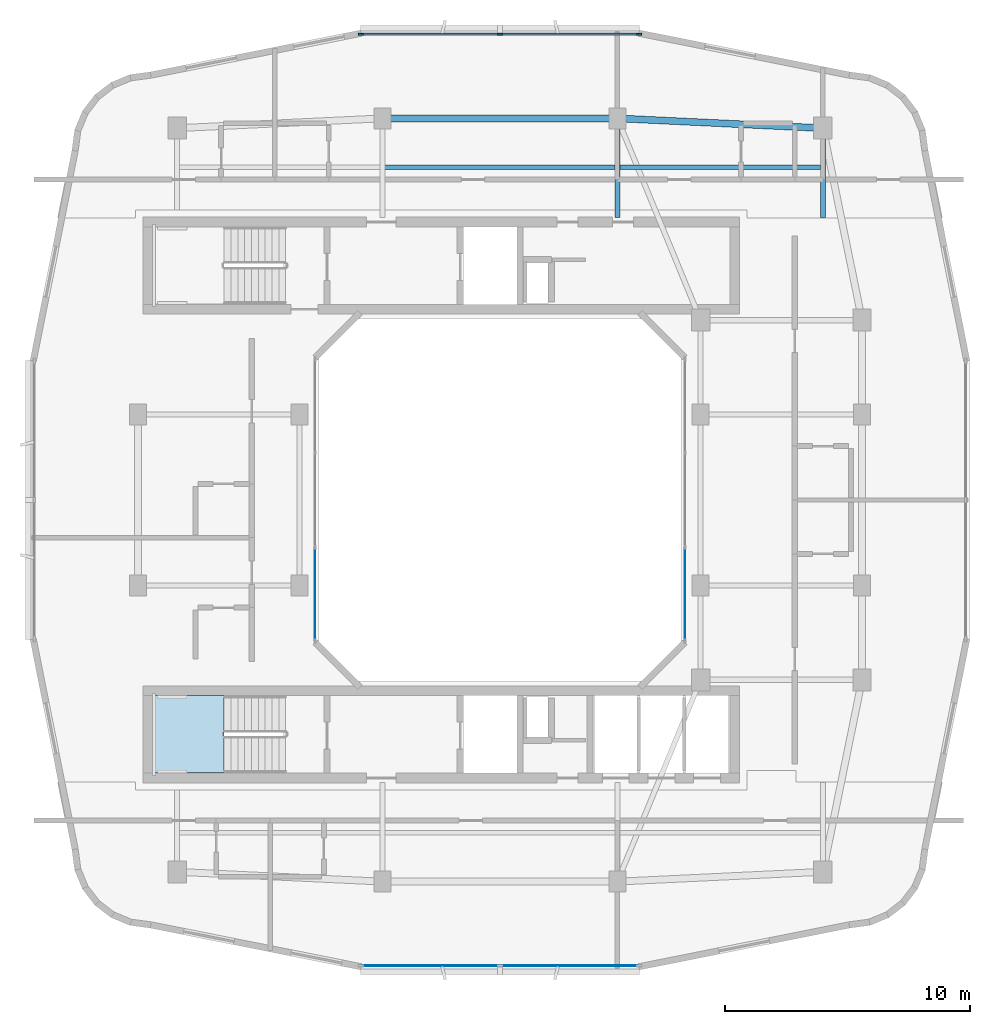
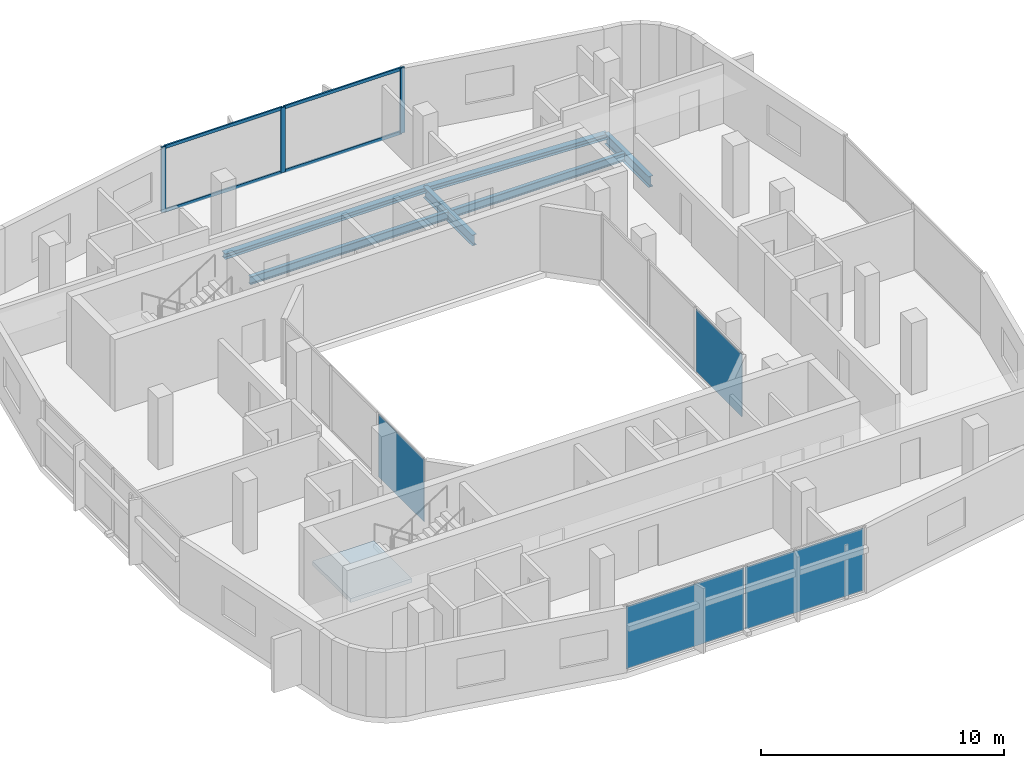
# One storey, part 5 of 13: 7 members, 6 beams, 4 plates, 1 slab, 5 elements without a shape of their own.
"""IFC4 building model written with IfcOpenShell, lengths in metres."""

from ifc_helpers import new_model, si_unit, derived_unit, direction, frame, origin, origin_2d, place, context, subcontext, project, spatial, polyline, rectangle, i_section, outline, extrude, material, layer, layer_set, material_profile, profile_set, type_object, element, aggregate, save


model = new_model("IFC4")

# Units and contexts
model_context = context("Model", 3, precision=1e-05, world=origin(), true_north=direction((0.0, 1.0)))
body_context = subcontext(model_context, "Body", "Model", "MODEL_VIEW")
ifc_project = project(units=[si_unit("LENGTHUNIT", "METRE"), si_unit("AREAUNIT", "SQUARE_METRE"), si_unit("VOLUMEUNIT", "CUBIC_METRE"), si_unit("PLANEANGLEUNIT", "RADIAN"), si_unit("MASSUNIT", "GRAM", prefix="KILO"), derived_unit("THERMALTRANSMITTANCEUNIT", [(si_unit("POWERUNIT", "WATT"), 1), (si_unit("LENGTHUNIT", "METRE"), -2), (si_unit("THERMODYNAMICTEMPERATUREUNIT", "KELVIN"), -1)])], contexts=[model_context])

# Site, building, storey
site_placement = place(None, origin())
site = spatial("IfcSite", under=ifc_project, at=site_placement, CompositionType="ELEMENT")
building_placement = place(site_placement, origin())
building = spatial("IfcBuilding", under=site, at=building_placement, Name="Kivonza Crest Hotel", CompositionType="ELEMENT")
storey_placement = place(building_placement, frame((0.0, 0.0, 235.10009765625)))
storey = spatial("IfcBuildingStorey", under=building, at=storey_placement, Name="L64", CompositionType="ELEMENT", Elevation=235.10009765625)

# Beams
ifc_material_1 = material(Name="Steel S355", Category="steel")
ifc_material_profile_1 = material_profile(ifc_material_1, i_section(OverallWidth=0.280029296875, OverallDepth=0.280029296875, WebThickness=0.010498046875, FlangeThickness=0.01806640625, FilletRadius=0.02392578125, at=origin_2d()), Name="HEB 280")
ifc_profile_set_1 = profile_set([ifc_material_profile_1], Name="Steel S355")
beam_type_1 = type_object("IfcBeamType", Name="BM-HEB280", PredefinedType="SPANDREL", material=ifc_profile_set_1)
beam_1_placement = place(storey_placement, frame((34.199951171875, 40.199951171875, -0.420166015625), z_axis=(-0.998867283688, 0.047583080799, 0.0), x_axis=(-0.047583080799, -0.998867283688, 0.0)))
element("IfcBeam", 1, at=beam_1_placement, inside=storey, type_object=beam_type_1, Name="Tower T1 L64 perimeter spandrel NE-N2", PredefinedType="SPANDREL", context=body_context, shape_type="SweptSolid", body=[
    extrude(i_section(OverallWidth=0.280029296875, OverallDepth=0.280029296875, WebThickness=0.010498046875, FlangeThickness=0.01806640625, FilletRadius=0.02392578125, at=origin_2d()), origin(), (0.0, 0.0, 1.0), 8.409423828125),
])
beam_2_placement = place(storey_placement, frame((25.800048828125, 40.60009765625, -0.420166015625), z_axis=(-1.0, 0.0, 0.0), x_axis=(0.0, -1.0, 0.0)))
element("IfcBeam", 2, at=beam_2_placement, inside=storey, type_object=beam_type_1, Name="Tower T1 L64 perimeter spandrel N2-N1", PredefinedType="SPANDREL", context=body_context, shape_type="SweptSolid", body=[
    extrude(i_section(OverallWidth=0.280029296875, OverallDepth=0.280029296875, WebThickness=0.010498046875, FlangeThickness=0.01806640625, FilletRadius=0.02392578125, at=origin_2d()), origin(), (0.0, 0.0, 1.0), 9.60009765625),
])
ifc_material_profile_2 = material_profile(ifc_material_1, i_section(OverallWidth=0.179931640625, OverallDepth=0.39990234375, WebThickness=0.008544921875, FlangeThickness=0.013427734375, FilletRadius=0.02099609375, at=origin_2d()), Name="IPE 400")
ifc_profile_set_2 = profile_set([ifc_material_profile_2], Name="Steel S355")
beam_type_2 = type_object("IfcBeamType", Name="BM-IPE400", PredefinedType="JOIST", material=ifc_profile_set_2)
beam_3_placement = place(storey_placement, frame((16.280029296875, 38.60009765625, -0.47998046875), z_axis=(1.0, 0.0, 0.0), x_axis=(0.0, 1.0, 0.0)))
element("IfcBeam", 3, at=beam_3_placement, inside=storey, type_object=beam_type_2, Name="Tower T1 L64 North-Mid floor joist", PredefinedType="JOIST", context=body_context, shape_type="SweptSolid", body=[
    extrude(i_section(OverallWidth=0.179931640625, OverallDepth=0.39990234375, WebThickness=0.008544921875, FlangeThickness=0.013427734375, FilletRadius=0.02099609375, at=origin_2d()), origin(), (0.0, 0.0, 1.0), 9.43994140625),
])
beam_4_placement = place(storey_placement, frame((25.8798828125, 38.60009765625, -0.47998046875), z_axis=(1.0, 0.0, 0.0), x_axis=(0.0, 1.0, 0.0)))
element("IfcBeam", 4, at=beam_4_placement, inside=storey, type_object=beam_type_2, Name="Tower T1 L64 North-East floor joist", PredefinedType="JOIST", context=body_context, shape_type="SweptSolid", body=[
    extrude(i_section(OverallWidth=0.179931640625, OverallDepth=0.39990234375, WebThickness=0.008544921875, FlangeThickness=0.013427734375, FilletRadius=0.02099609375, at=origin_2d()), origin(), (0.0, 0.0, 1.0), 8.240234375),
])
ifc_material_profile_3 = material_profile(ifc_material_1, i_section(OverallWidth=0.2099609375, OverallDepth=0.550048828125, WebThickness=0.010986328125, FlangeThickness=0.01708984375, FilletRadius=0.02392578125, at=origin_2d()), Name="IPE 550")
ifc_profile_set_3 = profile_set([ifc_material_profile_3], Name="Steel S355")
beam_type_3 = type_object("IfcBeamType", Name="BM-IPE550", PredefinedType="BEAM", material=ifc_profile_set_3)
beam_5_placement = place(storey_placement, frame((25.800048828125, 40.60009765625, -0.55517578125), z_axis=(0.0, -1.0, 0.0), x_axis=(1.0, 0.0, 0.0)))
element("IfcBeam", 5, at=beam_5_placement, inside=storey, type_object=beam_type_3, Name="Tower T1 L64 radial core girder RN2", PredefinedType="BEAM", context=body_context, shape_type="SweptSolid", body=[
    extrude(i_section(OverallWidth=0.2099609375, OverallDepth=0.550048828125, WebThickness=0.010986328125, FlangeThickness=0.01708984375, FilletRadius=0.02392578125, at=origin_2d()), origin(), (0.0, 0.0, 1.0), 4.050048828125),
])
beam_6_placement = place(storey_placement, frame((34.199951171875, 40.199951171875, -0.55517578125), z_axis=(0.0, -1.0, 0.0), x_axis=(1.0, 0.0, 0.0)))
element("IfcBeam", 6, at=beam_6_placement, inside=storey, type_object=beam_type_3, Name="Tower T1 L64 radial core girder RNE", PredefinedType="BEAM", context=body_context, shape_type="SweptSolid", body=[
    extrude(i_section(OverallWidth=0.2099609375, OverallDepth=0.550048828125, WebThickness=0.010986328125, FlangeThickness=0.01708984375, FilletRadius=0.02392578125, at=origin_2d()), origin(), (0.0, 0.0, 1.0), 3.64990234375),
])

# Curtain wall, members
ifc_material_2 = material(Name="Anodised bronze aluminium and low-E double glazing", Category="aluminium")
ifc_layer_1 = layer(ifc_material_2, 0.179931640625)
ifc_layer_set_1 = layer_set([ifc_layer_1], Name="Anodised bronze aluminium and low-E double glazing")
curtain_wall_type_1 = type_object("IfcCurtainWallType", Name="CW-SYS-3", PredefinedType="NOTDEFINED", material=ifc_layer_set_1)
curtain_wall_1_placement = place(storey_placement, origin())
curtain_wall_1 = element("IfcCurtainWall", 7, at=curtain_wall_1_placement, inside=storey, type_object=curtain_wall_type_1, Name="L64 unitised curtain wall CW-T1-L64-26", PredefinedType="NOTDEFINED")
ifc_material_3 = material(Name="Anodised bronze aluminium", Category="aluminium")
ifc_material_profile_4 = material_profile(ifc_material_3, rectangle(XDim=0.074951171875, YDim=0.219970703125, at=origin_2d()), Name="CW-M 75x220")
ifc_profile_set_4 = profile_set([ifc_material_profile_4], Name="Anodised bronze aluminium")
member_type_1 = type_object("IfcMemberType", Name="CW-MUL-75x220", PredefinedType="MULLION", material=ifc_profile_set_4)
member_1_placement = place(storey_placement, frame((26.6826171875, 44.0400390625, 0.0), z_axis=(0.0, 0.0, 1.0), x_axis=(0.0, -1.0, 0.0)))
member_1 = element("IfcMember", 8, at=member_1_placement, type_object=member_type_1, Name="CW-3 mullion 1", PredefinedType="MULLION", context=body_context, shape_type="SweptSolid", body=[
    extrude(rectangle(XDim=0.074951171875, YDim=0.219970703125, at=origin_2d()), origin(), (0.0, 0.0, 1.0), 3.27978515625),
])
member_2_placement = place(storey_placement, frame((21.0, 44.0400390625, 0.0), z_axis=(0.0, 0.0, 1.0), x_axis=(0.0, -1.0, 0.0)))
member_2 = element("IfcMember", 9, at=member_2_placement, type_object=member_type_1, Name="CW-3 mullion 2", PredefinedType="MULLION", context=body_context, shape_type="SweptSolid", body=[
    extrude(rectangle(XDim=0.074951171875, YDim=0.219970703125, at=origin_2d()), origin(), (0.0, 0.0, 1.0), 3.27978515625),
])
member_3_placement = place(storey_placement, frame((15.3173828125, 44.0400390625, 0.0), z_axis=(0.0, 0.0, 1.0), x_axis=(0.0, -1.0, 0.0)))
member_3 = element("IfcMember", 10, at=member_3_placement, type_object=member_type_1, Name="CW-3 mullion 3", PredefinedType="MULLION", context=body_context, shape_type="SweptSolid", body=[
    extrude(rectangle(XDim=0.074951171875, YDim=0.219970703125, at=origin_2d()), origin(), (0.0, 0.0, 1.0), 3.27978515625),
])
ifc_material_profile_5 = material_profile(ifc_material_3, rectangle(XDim=0.074951171875, YDim=0.159912109375, at=origin_2d()), Name="CW-T 75x160")
ifc_profile_set_5 = profile_set([ifc_material_profile_5], Name="Anodised bronze aluminium")
member_type_2 = type_object("IfcMemberType", Name="CW-TRN-75x160", PredefinedType="USERDEFINED", material=ifc_profile_set_5)
member_4_placement = place(storey_placement, frame((26.64501953125, 44.0400390625, 0.037353515625), z_axis=(-1.0, 0.0, 0.0), x_axis=(0.0, -1.0, 0.0)))
member_4 = element("IfcMember", 11, at=member_4_placement, type_object=member_type_2, Name="CW-3 transom 1.1", ObjectType="TRANSOM", PredefinedType="USERDEFINED", context=body_context, shape_type="SweptSolid", body=[
    extrude(rectangle(XDim=0.074951171875, YDim=0.159912109375, at=origin_2d()), origin(), (0.0, 0.0, 1.0), 5.607421875),
])
member_5_placement = place(storey_placement, frame((26.64501953125, 44.0400390625, 3.242431640625), z_axis=(-1.0, 0.0, 0.0), x_axis=(0.0, -1.0, 0.0)))
member_5 = element("IfcMember", 12, at=member_5_placement, type_object=member_type_2, Name="CW-3 transom 1.2", ObjectType="TRANSOM", PredefinedType="USERDEFINED", context=body_context, shape_type="SweptSolid", body=[
    extrude(rectangle(XDim=0.074951171875, YDim=0.159912109375, at=origin_2d()), origin(), (0.0, 0.0, 1.0), 5.607421875),
])
member_6_placement = place(storey_placement, frame((20.96240234375, 44.0400390625, 0.037353515625), z_axis=(-1.0, 0.0, 0.0), x_axis=(0.0, -1.0, 0.0)))
member_6 = element("IfcMember", 13, at=member_6_placement, type_object=member_type_2, Name="CW-3 transom 2.1", ObjectType="TRANSOM", PredefinedType="USERDEFINED", context=body_context, shape_type="SweptSolid", body=[
    extrude(rectangle(XDim=0.074951171875, YDim=0.159912109375, at=origin_2d()), origin(), (0.0, 0.0, 1.0), 5.607421875),
])
member_7_placement = place(storey_placement, frame((20.96240234375, 44.0400390625, 3.242431640625), z_axis=(-1.0, 0.0, 0.0), x_axis=(0.0, -1.0, 0.0)))
member_7 = element("IfcMember", 14, at=member_7_placement, type_object=member_type_2, Name="CW-3 transom 2.2", ObjectType="TRANSOM", PredefinedType="USERDEFINED", context=body_context, shape_type="SweptSolid", body=[
    extrude(rectangle(XDim=0.074951171875, YDim=0.159912109375, at=origin_2d()), origin(), (0.0, 0.0, 1.0), 5.607421875),
])
aggregate(curtain_wall_1, [member_1, member_2, member_3, member_4, member_5, member_6, member_7])

# Curtain wall, plate
ifc_layer_2 = layer(ifc_material_2, 0.159912109375)
ifc_layer_set_2 = layer_set([ifc_layer_2], Name="Anodised bronze aluminium and low-E double glazing")
curtain_wall_type_2 = type_object("IfcCurtainWallType", Name="CW-SYS-5", PredefinedType="NOTDEFINED", material=ifc_layer_set_2)
curtain_wall_2_placement = place(storey_placement, origin())
curtain_wall_2 = element("IfcCurtainWall", 15, at=curtain_wall_2_placement, inside=storey, type_object=curtain_wall_type_2, Name="L64 unitised curtain wall CW-WELL-T1-L64-3", PredefinedType="NOTDEFINED")
ifc_material_4 = material(Name="Solar-control low-E double glazing", Category="glass")
ifc_layer_3 = layer(ifc_material_4, 0.028076171875)
ifc_layer_set_3 = layer_set([ifc_layer_3], Name="Solar-control low-E double glazing")
plate_type_1 = type_object("IfcPlateType", Name="CW-PNL-28", PredefinedType="CURTAIN_PANEL", material=ifc_layer_set_3)
plate_1_placement = place(storey_placement, frame((28.56005859375, 21.149658203125, 0.06494140625), z_axis=(0.0, 0.0, 1.0), x_axis=(0.0, 1.0, 0.0)))
plate_1 = element("IfcPlate", 16, at=plate_1_placement, type_object=plate_type_1, Name="CW-5 panel 1.1", PredefinedType="CURTAIN_PANEL", context=body_context, shape_type="SweptSolid", body=[
    extrude(rectangle(XDim=3.769287109375, YDim=0.028076171875, at=origin_2d()), origin(), (0.0, 0.0, 1.0), 3.14990234375),
])
aggregate(curtain_wall_2, [plate_1])

curtain_wall_3_placement = place(storey_placement, origin())
curtain_wall_3 = element("IfcCurtainWall", 17, at=curtain_wall_3_placement, inside=storey, type_object=curtain_wall_type_2, Name="L64 unitised curtain wall CW-WELL-T1-L64-7", PredefinedType="NOTDEFINED")
plate_2_placement = place(storey_placement, frame((13.43994140625, 21.149658203125, 0.06494140625), z_axis=(0.0, 0.0, 1.0), x_axis=(0.0, -1.0, 0.0)))
plate_2 = element("IfcPlate", 18, at=plate_2_placement, type_object=plate_type_1, Name="CW-5 panel 3.1", PredefinedType="CURTAIN_PANEL", context=body_context, shape_type="SweptSolid", body=[
    extrude(rectangle(XDim=3.769287109375, YDim=0.028076171875, at=origin_2d()), origin(), (0.0, 0.0, 1.0), 3.14990234375),
])
aggregate(curtain_wall_3, [plate_2])

# Curtain wall, plates
curtain_wall_4_placement = place(storey_placement, origin())
curtain_wall_4 = element("IfcCurtainWall", 19, at=curtain_wall_4_placement, inside=storey, type_object=curtain_wall_type_1, Name="L64 unitised curtain wall CW-T1-L64-08", PredefinedType="NOTDEFINED")
ifc_material_5 = material(Name="Acoustic triple-laminated low-E glazing", Category="glass")
ifc_layer_4 = layer(ifc_material_5, 0.035888671875)
ifc_layer_set_4 = layer_set([ifc_layer_4], Name="Acoustic triple-laminated low-E glazing")
plate_type_2 = type_object("IfcPlateType", Name="CW-PNL-36", PredefinedType="CURTAIN_PANEL", material=ifc_layer_set_4)
plate_3_placement = place(storey_placement, frame((18.15869140625, 5.9599609375, 0.074951171875), z_axis=(0.0, 0.0, 1.0), x_axis=(1.0, 0.0, 0.0)))
plate_3 = element("IfcPlate", 20, at=plate_3_placement, type_object=plate_type_2, Name="CW-3 panel 1.1", PredefinedType="CURTAIN_PANEL", context=body_context, shape_type="SweptSolid", body=[
    extrude(rectangle(XDim=5.607421875, YDim=0.035888671875, at=origin_2d()), origin(), (0.0, 0.0, 1.0), 3.1298828125),
])
plate_4_placement = place(storey_placement, frame((23.84130859375, 5.9599609375, 0.074951171875), z_axis=(0.0, 0.0, 1.0), x_axis=(1.0, 0.0, 0.0)))
plate_4 = element("IfcPlate", 21, at=plate_4_placement, type_object=plate_type_2, Name="CW-3 panel 2.1", PredefinedType="CURTAIN_PANEL", context=body_context, shape_type="SweptSolid", body=[
    extrude(rectangle(XDim=5.607421875, YDim=0.035888671875, at=origin_2d()), origin(), (0.0, 0.0, 1.0), 3.1298828125),
])
aggregate(curtain_wall_4, [plate_3, plate_4])

# Stair, slab
ifc_material_6 = material(Name="Concrete C40/50", Category="concrete")
stair_type = type_object("IfcStairType", Name="ST-DL-20R", PredefinedType="HALF_TURN_STAIR", material=ifc_material_6)
stair_placement = place(storey_placement, origin())
stair = element("IfcStair", 22, at=stair_placement, inside=storey, type_object=stair_type, Name="L64 Protected Exit Stair ST-T1-S", PredefinedType="HALF_TURN_STAIR")
ifc_layer_5 = layer(ifc_material_6, 0.199951171875)
ifc_layer_set_5 = layer_set([ifc_layer_5], Name="Concrete C40/50")
slab_type = type_object("IfcSlabType", Name="SL-LAND-200", PredefinedType="LANDING", material=ifc_layer_set_5)
slab_placement = place(storey_placement, frame((0.0, 0.0, 1.599853515625)))
slab = element("IfcSlab", 23, at=slab_placement, type_object=slab_type, Name="ST-T1-S landing 1", PredefinedType="LANDING", context=body_context, shape_type="SweptSolid", body=[
    extrude(outline(polyline([(9.719970703125, 17.0), (6.800048828125, 17.0), (6.800048828125, 13.860107421875), (9.719970703125, 13.860107421875), (9.719970703125, 17.0)])), origin(), (0.0, 0.0, 1.0), 0.199951171875),
])
aggregate(stair, [slab])

save(model, "model.ifc")
